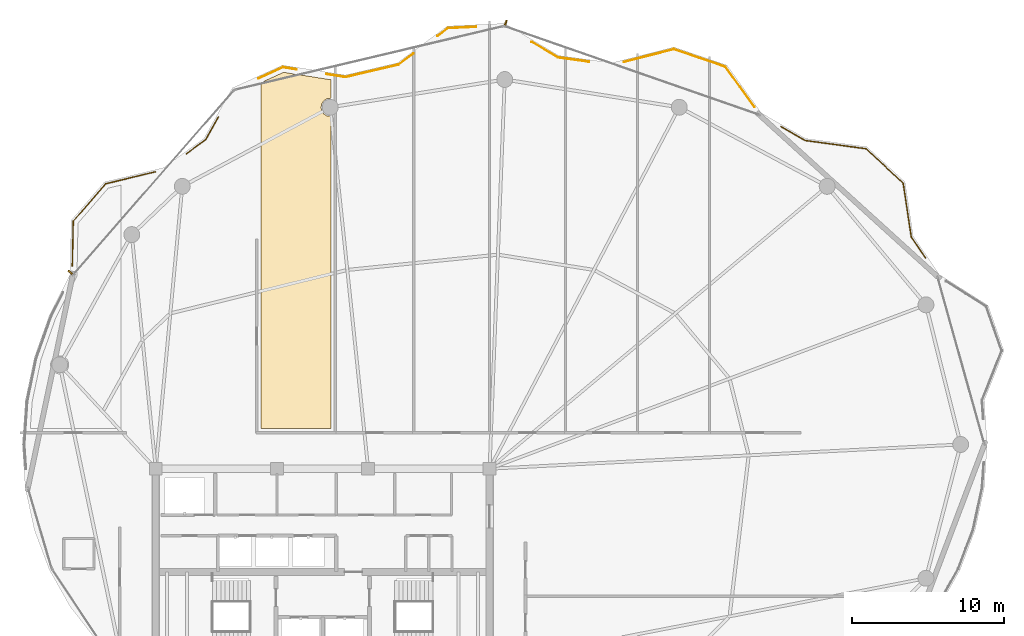
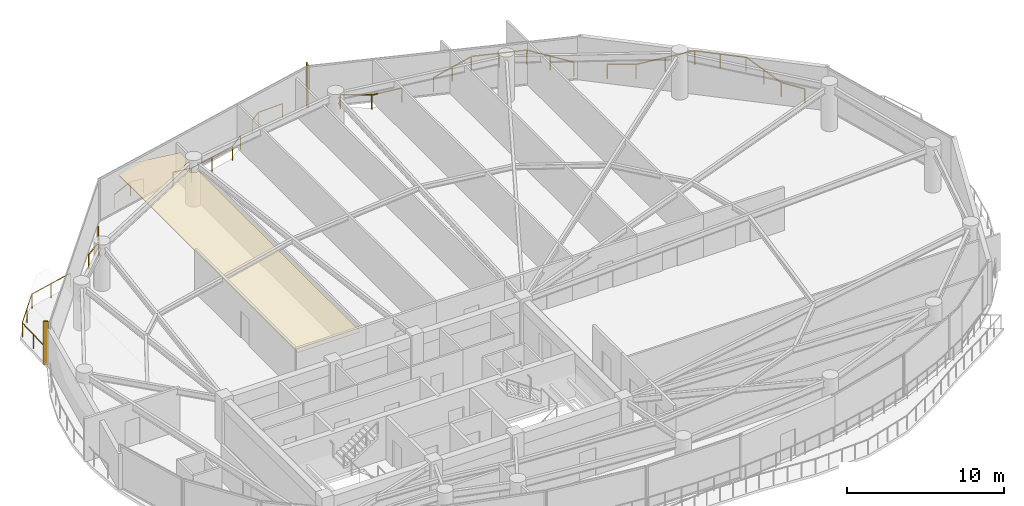
# One storey, part 28 of 28: 8 railings, 2 shading devices, 1 covering.
"""IFC4 building model written with IfcOpenShell, lengths in metres."""

from ifc_helpers import new_model, si_unit, direction, frame, origin, origin_2d, place, context, subcontext, project, spatial, polyline, rectangle, outline, extrude, material, layer, layer_set, type_object, element, save


model = new_model("IFC4")

# Units and contexts
model_context = context("Model", 3, precision=1e-05, world=origin(), true_north=direction((0.0, 1.0)))
body_context = subcontext(model_context, "Body", "Model", "MODEL_VIEW")
ifc_project = project(units=[si_unit("LENGTHUNIT", "METRE"), si_unit("AREAUNIT", "SQUARE_METRE"), si_unit("VOLUMEUNIT", "CUBIC_METRE"), si_unit("PLANEANGLEUNIT", "RADIAN"), si_unit("MASSUNIT", "GRAM", prefix="KILO")], contexts=[model_context])

# Site, building, storey
site_placement = place(None, origin())
site = spatial("IfcSite", under=ifc_project, at=site_placement, CompositionType="ELEMENT")
building_placement = place(site_placement, origin())
building = spatial("IfcBuilding", under=site, at=building_placement, Name="Kazevale Care Tower and Concert Hall", CompositionType="ELEMENT")
storey_placement = place(building_placement, frame((0.0, 0.0, 231.60009765625)))
storey = spatial("IfcBuildingStorey", under=building, at=storey_placement, Name="L61", CompositionType="ELEMENT", Elevation=231.60009765625)

# Covering
ifc_material_1 = material(Name="Acoustic Plaster and Hinoki Wood", Category="wood")
ifc_layer = layer(ifc_material_1, 0.0400390625)
ifc_layer_set = layer_set([ifc_layer], Name="Acoustic Plaster and Hinoki Wood")
covering_type = type_object("IfcCoveringType", Name="Acoustic Perforated Wood-Gypsum Ceiling", PredefinedType="CEILING", material=ifc_layer_set)
covering_placement = place(storey_placement, frame((0.0, 0.0, 2.7099609375)))
element("IfcCovering", 1, at=covering_placement, inside=storey, type_object=covering_type, Name="clg:L61:2", PredefinedType="CEILING", context=body_context, shape_type="SweptSolid", body=[
    extrude(outline(polyline([(30.4208984375, 62.52587890625), (33.550048828125, 62.034912109375), (33.550048828125, 60.820068359375), (33.26806640625, 60.779052734375), (33.072021484375, 60.64794921875), (32.94091796875, 60.451904296875), (32.89501953125, 60.219970703125), (32.94091796875, 59.988037109375), (33.072021484375, 59.7919921875), (33.26806640625, 59.660888671875), (33.550048828125, 59.6201171875), (33.550048828125, 39.054931640625), (28.929931640625, 39.054931640625), (28.929931640625, 61.847900390625), (30.4208984375, 62.52587890625)])), origin(), (0.0, 0.0, 1.0), 0.0400390625),
])

# Railings
ifc_material_2 = material(Name="Anodised Bronze Aluminium and Laminated Glass", Category="aluminium")
railing_type = type_object("IfcRailingType", Name="Balcony and Terrace Balustrade 1120", PredefinedType="BALUSTRADE", material=ifc_material_2)
railing_1_placement = place(storey_placement, frame((16.5009765625, 49.77392578125, 0.0)))
element("IfcRailing", 2, at=railing_1_placement, inside=storey, type_object=railing_type, Name="rail:L61:perim:2", PredefinedType="BALUSTRADE", context=body_context, shape_type="SweptSolid", body=[
    extrude(rectangle(XDim=0.048095703125, YDim=0.048095703125, at=origin_2d()), frame((0.0, 0.0, 1.09619140625), z_axis=(0.020776893953, 0.99978413704, 0.0), x_axis=(-0.99978413704, 0.020776893953, 0.0)), (0.0, 0.0, 1.0), 2.937744140625),
    extrude(rectangle(XDim=0.048095703125, YDim=0.048095703125, at=origin_2d()), frame((0.06103515625, 2.93701171875, 1.09619140625), z_axis=(0.653442230106, 0.75697638795, 0.0), x_axis=(-0.75697638795, 0.653442230106, 0.0)), (0.0, 0.0, 1.0), 3.256591796875),
    extrude(rectangle(XDim=0.048095703125, YDim=0.048095703125, at=origin_2d()), frame((2.18896484375, 5.402099609375, 1.09619140625), z_axis=(0.972048614054, 0.234779666741, 0.0), x_axis=(-0.234779666741, 0.972048614054, 0.0)), (0.0, 0.0, 1.0), 3.373291015625),
    extrude(rectangle(XDim=0.0419921875, YDim=0.0419921875, at=origin_2d()), origin(), (0.0, 0.0, 1.0), 1.072021484375),
    extrude(rectangle(XDim=0.0419921875, YDim=0.0419921875, at=origin_2d()), frame((0.030517578125, 1.468505859375, 0.0)), (0.0, 0.0, 1.0), 1.072021484375),
    extrude(rectangle(XDim=0.0419921875, YDim=0.0419921875, at=origin_2d()), frame((0.06103515625, 2.93701171875, 0.0)), (0.0, 0.0, 1.0), 1.072021484375),
    extrude(rectangle(XDim=0.0419921875, YDim=0.0419921875, at=origin_2d()), frame((1.125, 4.16943359375, 0.0)), (0.0, 0.0, 1.0), 1.072021484375),
    extrude(rectangle(XDim=0.0419921875, YDim=0.0419921875, at=origin_2d()), frame((2.18896484375, 5.402099609375, 0.0)), (0.0, 0.0, 1.0), 1.072021484375),
    extrude(rectangle(XDim=0.0419921875, YDim=0.0419921875, at=origin_2d()), frame((3.82861328125, 5.798095703125, 0.0)), (0.0, 0.0, 1.0), 1.072021484375),
    extrude(rectangle(XDim=0.0419921875, YDim=0.0419921875, at=origin_2d()), frame((5.468017578125, 6.194091796875, 0.0)), (0.0, 0.0, 1.0), 1.072021484375),
])
railing_2_placement = place(storey_placement, frame((24.01708984375, 57.159912109375, 0.0)))
element("IfcRailing", 3, at=railing_2_placement, inside=storey, type_object=railing_type, Name="rail:L61:perim:3", PredefinedType="BALUSTRADE", context=body_context, shape_type="SweptSolid", body=[
    extrude(rectangle(XDim=0.048095703125, YDim=0.048095703125, at=origin_2d()), frame((0.0, 0.0, 1.09619140625), z_axis=(0.809493304449, 0.587129108504, 0.0), x_axis=(-0.587129108504, 0.809493304449, 0.0)), (0.0, 0.0, 1.0), 1.56005859375),
    extrude(rectangle(XDim=0.048095703125, YDim=0.048095703125, at=origin_2d()), frame((1.262939453125, 0.916015625, 1.09619140625), z_axis=(0.490315047546, 0.871545267987, 0.0), x_axis=(-0.871545267987, 0.490315047546, 0.0)), (0.0, 0.0, 1.0), 1.723388671875),
    extrude(rectangle(XDim=0.0419921875, YDim=0.0419921875, at=origin_2d()), origin(), (0.0, 0.0, 1.0), 1.072021484375),
    extrude(rectangle(XDim=0.0419921875, YDim=0.0419921875, at=origin_2d()), frame((1.262939453125, 0.916015625, 0.0)), (0.0, 0.0, 1.0), 1.072021484375),
    extrude(rectangle(XDim=0.0419921875, YDim=0.0419921875, at=origin_2d()), frame((2.10791015625, 2.41796875, 0.0)), (0.0, 0.0, 1.0), 1.072021484375),
])
railing_3_placement = place(storey_placement, frame((28.763916015625, 62.125, 0.0)))
element("IfcRailing", 4, at=railing_3_placement, inside=storey, type_object=railing_type, Name="rail:L61:perim:4", PredefinedType="BALUSTRADE", context=body_context, shape_type="SweptSolid", body=[
    extrude(rectangle(XDim=0.048095703125, YDim=0.048095703125, at=origin_2d()), frame((0.0, 0.0, 1.09619140625), z_axis=(0.91054113019, 0.413418492853, 0.0), x_axis=(-0.413418492853, 0.91054113019, 0.0)), (0.0, 0.0, 1.0), 1.7705078125),
    extrude(rectangle(XDim=0.048095703125, YDim=0.048095703125, at=origin_2d()), frame((1.612060546875, 0.73193359375, 1.09619140625), z_axis=(0.98790083214, -0.155086897758, 0.0), x_axis=(0.155086897758, 0.98790083214, 0.0)), (0.0, 0.0, 1.0), 0.902099609375),
    extrude(rectangle(XDim=0.0419921875, YDim=0.0419921875, at=origin_2d()), origin(), (0.0, 0.0, 1.0), 1.072021484375),
    extrude(rectangle(XDim=0.0419921875, YDim=0.0419921875, at=origin_2d()), frame((1.612060546875, 0.73193359375, 0.0)), (0.0, 0.0, 1.0), 1.072021484375),
    extrude(rectangle(XDim=0.0419921875, YDim=0.0419921875, at=origin_2d()), frame((2.503173828125, 0.592041015625, 0.0)), (0.0, 0.0, 1.0), 1.072021484375),
])
railing_4_placement = place(storey_placement, frame((33.2509765625, 62.406005859375, 0.0)))
element("IfcRailing", 5, at=railing_4_placement, inside=storey, type_object=railing_type, Name="rail:L61:perim:5", PredefinedType="BALUSTRADE", context=body_context, shape_type="SweptSolid", body=[
    extrude(rectangle(XDim=0.048095703125, YDim=0.048095703125, at=origin_2d()), frame((0.0, 0.0, 1.09619140625), z_axis=(0.987942088413, -0.154823867485, 0.0), x_axis=(0.154823867485, 0.987942088413, 0.0)), (0.0, 0.0, 1.0), 1.266357421875),
    extrude(rectangle(XDim=0.048095703125, YDim=0.048095703125, at=origin_2d()), frame((1.2509765625, -0.196044921875, 1.09619140625), z_axis=(0.973807958737, 0.227372072823, 0.0), x_axis=(-0.227372072823, 0.973807958737, 0.0)), (0.0, 0.0, 1.0), 3.57568359375),
    extrude(rectangle(XDim=0.048095703125, YDim=0.048095703125, at=origin_2d()), frame((4.73291015625, 0.616943359375, 1.09619140625), z_axis=(0.805798451747, 0.592189881003, 0.0), x_axis=(-0.592189881003, 0.805798451747, 0.0)), (0.0, 0.0, 1.0), 1.2548828125),
    extrude(rectangle(XDim=0.0419921875, YDim=0.0419921875, at=origin_2d()), origin(), (0.0, 0.0, 1.0), 1.072021484375),
    extrude(rectangle(XDim=0.0419921875, YDim=0.0419921875, at=origin_2d()), frame((1.2509765625, -0.196044921875, 0.0)), (0.0, 0.0, 1.0), 1.072021484375),
    extrude(rectangle(XDim=0.0419921875, YDim=0.0419921875, at=origin_2d()), frame((2.991943359375, 0.21044921875, 0.0)), (0.0, 0.0, 1.0), 1.072021484375),
    extrude(rectangle(XDim=0.0419921875, YDim=0.0419921875, at=origin_2d()), frame((4.73291015625, 0.616943359375, 0.0)), (0.0, 0.0, 1.0), 1.072021484375),
    extrude(rectangle(XDim=0.0419921875, YDim=0.0419921875, at=origin_2d()), frame((5.744140625, 1.360107421875, 0.0)), (0.0, 0.0, 1.0), 1.072021484375),
])
railing_5_placement = place(storey_placement, frame((40.56396484375, 64.9189453125, 0.0)))
element("IfcRailing", 6, at=railing_5_placement, inside=storey, type_object=railing_type, Name="rail:L61:perim:6", PredefinedType="BALUSTRADE", context=body_context, shape_type="SweptSolid", body=[
    extrude(rectangle(XDim=0.048095703125, YDim=0.048095703125, at=origin_2d()), frame((0.0, 0.0, 1.09619140625), z_axis=(0.805713579929, 0.592305349561, 0.0), x_axis=(-0.592305349561, 0.805713579929, 0.0)), (0.0, 0.0, 1.0), 0.876220703125),
    extrude(rectangle(XDim=0.048095703125, YDim=0.048095703125, at=origin_2d()), frame((0.7060546875, 0.51904296875, 1.09619140625), z_axis=(0.998940261438, 0.046025580694, 0.0), x_axis=(-0.046025580694, 0.998940261438, 0.0)), (0.0, 0.0, 1.0), 1.845947265625),
    extrude(rectangle(XDim=0.0419921875, YDim=0.0419921875, at=origin_2d()), origin(), (0.0, 0.0, 1.0), 1.072021484375),
    extrude(rectangle(XDim=0.0419921875, YDim=0.0419921875, at=origin_2d()), frame((0.7060546875, 0.51904296875, 0.0)), (0.0, 0.0, 1.0), 1.072021484375),
    extrude(rectangle(XDim=0.0419921875, YDim=0.0419921875, at=origin_2d()), frame((2.550048828125, 0.60400390625, 0.0)), (0.0, 0.0, 1.0), 1.072021484375),
])
railing_6_placement = place(storey_placement, frame((46.783935546875, 64.529052734375, 0.0)))
element("IfcRailing", 7, at=railing_6_placement, inside=storey, type_object=railing_type, Name="rail:L61:perim:7", PredefinedType="BALUSTRADE", context=body_context, shape_type="SweptSolid", body=[
    extrude(rectangle(XDim=0.048095703125, YDim=0.048095703125, at=origin_2d()), frame((0.0, 0.0, 1.09619140625), z_axis=(0.859958006391, -0.510364798202, 0.0), x_axis=(0.510364798202, 0.859958006391, 0.0)), (0.0, 0.0, 1.0), 2.010498046875),
    extrude(rectangle(XDim=0.048095703125, YDim=0.048095703125, at=origin_2d()), frame((1.72900390625, -1.026123046875, 1.09619140625), z_axis=(0.990617777662, -0.136661693898, 0.0), x_axis=(0.136661693898, 0.990617777662, 0.0)), (0.0, 0.0, 1.0), 2.0400390625),
    extrude(rectangle(XDim=0.0419921875, YDim=0.0419921875, at=origin_2d()), origin(), (0.0, 0.0, 1.0), 1.072021484375),
    extrude(rectangle(XDim=0.0419921875, YDim=0.0419921875, at=origin_2d()), frame((1.72900390625, -1.026123046875, 0.0)), (0.0, 0.0, 1.0), 1.072021484375),
    extrude(rectangle(XDim=0.0419921875, YDim=0.0419921875, at=origin_2d()), frame((3.75, -1.304931640625, 0.0)), (0.0, 0.0, 1.0), 1.072021484375),
])
railing_7_placement = place(storey_placement, frame((52.8779296875, 63.212890625, 0.0)))
element("IfcRailing", 8, at=railing_7_placement, inside=storey, type_object=railing_type, Name="rail:L61:perim:8", PredefinedType="BALUSTRADE", context=body_context, shape_type="SweptSolid", body=[
    extrude(rectangle(XDim=0.048095703125, YDim=0.048095703125, at=origin_2d()), frame((0.0, 0.0, 1.09619140625), z_axis=(0.968841143246, 0.24768294078, 0.0), x_axis=(-0.24768294078, 0.968841143246, 0.0)), (0.0, 0.0, 1.0), 3.3681640625),
    extrude(rectangle(XDim=0.048095703125, YDim=0.048095703125, at=origin_2d()), frame((3.26318359375, 0.834228515625, 1.09619140625), z_axis=(0.946598937376, -0.322413479492, 0.0), x_axis=(0.322413479492, 0.946598937376, 0.0)), (0.0, 0.0, 1.0), 3.607421875),
    extrude(rectangle(XDim=0.048095703125, YDim=0.048095703125, at=origin_2d()), frame((6.677978515625, -0.328857421875, 1.09619140625), z_axis=(0.584785546416, -0.811187934269, 0.0), x_axis=(0.811187934269, 0.584785546416, 0.0)), (0.0, 0.0, 1.0), 3.26318359375),
    extrude(rectangle(XDim=0.0419921875, YDim=0.0419921875, at=origin_2d()), origin(), (0.0, 0.0, 1.0), 1.072021484375),
    extrude(rectangle(XDim=0.0419921875, YDim=0.0419921875, at=origin_2d()), frame((1.631591796875, 0.4169921875, 0.0)), (0.0, 0.0, 1.0), 1.072021484375),
    extrude(rectangle(XDim=0.0419921875, YDim=0.0419921875, at=origin_2d()), frame((3.26318359375, 0.834228515625, 0.0)), (0.0, 0.0, 1.0), 1.072021484375),
    extrude(rectangle(XDim=0.0419921875, YDim=0.0419921875, at=origin_2d()), frame((4.970703125, 0.252685546875, 0.0)), (0.0, 0.0, 1.0), 1.072021484375),
    extrude(rectangle(XDim=0.0419921875, YDim=0.0419921875, at=origin_2d()), frame((6.677978515625, -0.328857421875, 0.0)), (0.0, 0.0, 1.0), 1.072021484375),
    extrude(rectangle(XDim=0.0419921875, YDim=0.0419921875, at=origin_2d()), frame((7.632080078125, -1.65234375, 0.0)), (0.0, 0.0, 1.0), 1.072021484375),
    extrude(rectangle(XDim=0.0419921875, YDim=0.0419921875, at=origin_2d()), frame((8.586181640625, -2.975830078125, 0.0)), (0.0, 0.0, 1.0), 1.072021484375),
])
railing_8_placement = place(storey_placement, frame((63.200927734375, 58.946044921875, 0.0)))
element("IfcRailing", 9, at=railing_8_placement, inside=storey, type_object=railing_type, Name="rail:L61:perim:9", PredefinedType="BALUSTRADE", context=body_context, shape_type="SweptSolid", body=[
    extrude(rectangle(XDim=0.048095703125, YDim=0.048095703125, at=origin_2d()), frame((0.0, 0.0, 1.09619140625), z_axis=(0.866524193864, -0.49913507335, 0.0), x_axis=(0.49913507335, 0.866524193864, 0.0)), (0.0, 0.0, 1.0), 1.823486328125),
    extrude(rectangle(XDim=0.048095703125, YDim=0.048095703125, at=origin_2d()), frame((1.580078125, -0.91015625, 1.09619140625), z_axis=(0.990877699691, -0.134764180164, 0.0), x_axis=(0.134764180164, 0.990877699691, 0.0)), (0.0, 0.0, 1.0), 4.05810546875),
    extrude(rectangle(XDim=0.048095703125, YDim=0.048095703125, at=origin_2d()), frame((5.60107421875, -1.45703125, 1.09619140625), z_axis=(0.73603461898, -0.676943896983, 0.0), x_axis=(0.676943896983, 0.73603461898, 0.0)), (0.0, 0.0, 1.0), 3.334228515625),
    extrude(rectangle(XDim=0.048095703125, YDim=0.048095703125, at=origin_2d()), frame((8.05517578125, -3.714111328125, 1.09619140625), z_axis=(0.148940997459, -0.988846084725, 0.0), x_axis=(0.988846084725, 0.148940997459, 0.0)), (0.0, 0.0, 1.0), 3.597900390625),
    extrude(rectangle(XDim=0.048095703125, YDim=0.048095703125, at=origin_2d()), frame((8.591064453125, -7.27197265625, 1.09619140625), z_axis=(0.562761257822, -0.826619481197, 0.0), x_axis=(0.826619481197, 0.562761257822, 0.0)), (0.0, 0.0, 1.0), 1.671875),
    extrude(rectangle(XDim=0.0419921875, YDim=0.0419921875, at=origin_2d()), origin(), (0.0, 0.0, 1.0), 1.072021484375),
    extrude(rectangle(XDim=0.0419921875, YDim=0.0419921875, at=origin_2d()), frame((1.580078125, -0.91015625, 0.0)), (0.0, 0.0, 1.0), 1.072021484375),
    extrude(rectangle(XDim=0.0419921875, YDim=0.0419921875, at=origin_2d()), frame((3.590576171875, -1.18359375, 0.0)), (0.0, 0.0, 1.0), 1.072021484375),
    extrude(rectangle(XDim=0.0419921875, YDim=0.0419921875, at=origin_2d()), frame((5.60107421875, -1.45703125, 0.0)), (0.0, 0.0, 1.0), 1.072021484375),
    extrude(rectangle(XDim=0.0419921875, YDim=0.0419921875, at=origin_2d()), frame((6.828125, -2.58544921875, 0.0)), (0.0, 0.0, 1.0), 1.072021484375),
    extrude(rectangle(XDim=0.0419921875, YDim=0.0419921875, at=origin_2d()), frame((8.05517578125, -3.714111328125, 0.0)), (0.0, 0.0, 1.0), 1.072021484375),
    extrude(rectangle(XDim=0.0419921875, YDim=0.0419921875, at=origin_2d()), frame((8.3232421875, -5.4931640625, 0.0)), (0.0, 0.0, 1.0), 1.072021484375),
    extrude(rectangle(XDim=0.0419921875, YDim=0.0419921875, at=origin_2d()), frame((8.591064453125, -7.27197265625, 0.0)), (0.0, 0.0, 1.0), 1.072021484375),
    extrude(rectangle(XDim=0.0419921875, YDim=0.0419921875, at=origin_2d()), frame((9.531982421875, -8.654052734375, 0.0)), (0.0, 0.0, 1.0), 1.072021484375),
])

# Shading devices
ifc_material_3 = material(Name="Anodised Bronze Aluminium", Category="aluminium")
shading_device_type = type_object("IfcShadingDeviceType", Name="Waist Anodised Bronze-Stone Fin FIN-02", PredefinedType="USERDEFINED", material=ifc_material_3)
for number, where, z_axis, x_axis, name in (
    (10, (16.361328125, 49.347412109375, 0.0), (0.0, 0.0, 1.0), (-0.753792813636, 0.657112162503, 0.0), "cw:L61:f14:fin"),
    (11, (45.075927734375, 65.796630859375, 0.0), (0.0, 0.0, 1.0), (0.328536977169, 0.944491108816, 0.0), "cw:L61:f16:fin"),
):
    element("IfcShadingDevice", number, at=place(storey_placement, frame(where, z_axis=z_axis, x_axis=x_axis)), inside=storey, type_object=shading_device_type, Name=name, ObjectType="FIN", PredefinedType="USERDEFINED", context=body_context, shape_type="SweptSolid", body=[
        extrude(rectangle(XDim=0.340087890625, YDim=0.10009765625, at=origin_2d()), origin(), (0.0, 0.0, 1.0), 3.360107421875),
    ])

save(model, "model.ifc")
